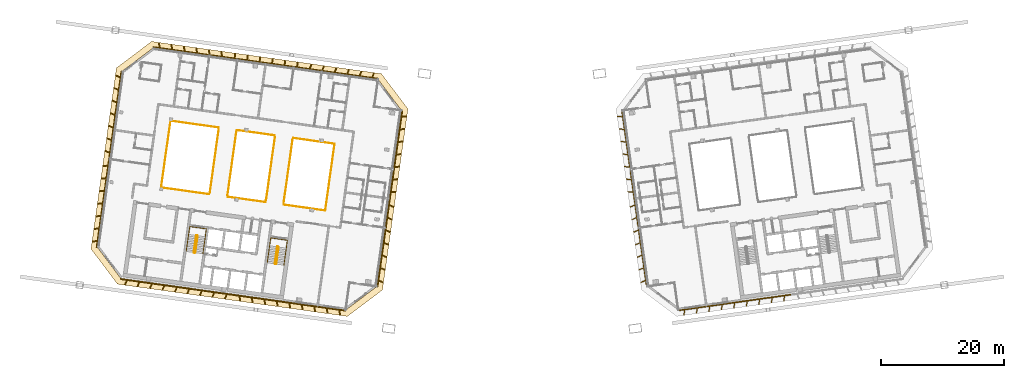
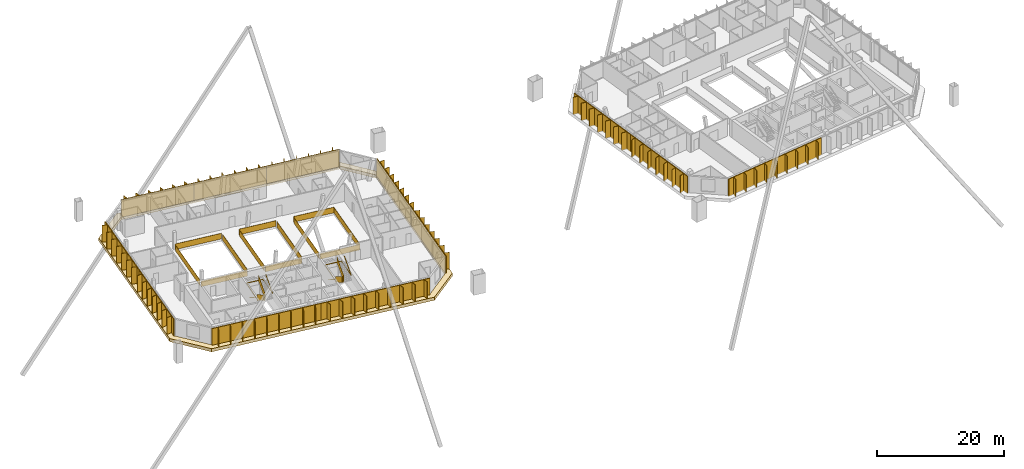
# One storey, part 27 of 28: 14 railings, 12 shading devices, 1 covering.
"""IFC4 building model written with IfcOpenShell, lengths in metres."""

from ifc_helpers import new_model, si_unit, direction, frame, origin, origin_2d, place, context, subcontext, project, spatial, polyline, rectangle, outline, extrude, material, layer, layer_set, type_object, element, save


model = new_model("IFC4")

# Units and contexts
model_context = context("Model", 3, precision=1e-05, world=origin(), true_north=direction((0.0, 1.0)))
body_context = subcontext(model_context, "Body", "Model", "MODEL_VIEW")
ifc_project = project(units=[si_unit("LENGTHUNIT", "METRE"), si_unit("AREAUNIT", "SQUARE_METRE"), si_unit("VOLUMEUNIT", "CUBIC_METRE"), si_unit("PLANEANGLEUNIT", "RADIAN"), si_unit("MASSUNIT", "GRAM", prefix="KILO")], contexts=[model_context])

# Site, building, storey
site_placement = place(None, origin())
site = spatial("IfcSite", under=ifc_project, at=site_placement, CompositionType="ELEMENT")
building_placement = place(site_placement, origin())
building = spatial("IfcBuilding", under=site, at=building_placement, Name="Mirante Cascada Hotel Towers", CompositionType="ELEMENT")
storey_placement = place(building_placement, frame((0.0, 0.0, 243.2)))
storey = spatial("IfcBuildingStorey", under=building, at=storey_placement, Name="L58", CompositionType="ELEMENT", Elevation=243.2)

# Railings
ifc_material_1 = material(Name="Toughened glass with stainless steel handrail", Category="steel")
railing_type_1 = type_object("IfcRailingType", Name="Atrium guard 1100 glass balustrade", PredefinedType="GUARDRAIL", material=ifc_material_1)
railing_1_placement = place(storey_placement, frame((-35.7194, 6.4785, 0.0)))
element("IfcRailing", 1, at=railing_1_placement, inside=storey, type_object=railing_type_1, Name="GUARD 1-L58-1", PredefinedType="GUARDRAIL", context=body_context, shape_type="SweptSolid", body=[
    extrude(rectangle(XDim=0.048, YDim=0.048, at=origin_2d()), frame((0.0, 0.0, 1.076), z_axis=(0.9902672, -0.1391789, 0.0), x_axis=(0.1391789, 0.9902672, 0.0)), (0.0, 0.0, 1.0), 6.8437),
    extrude(rectangle(XDim=0.02, YDim=1.052, at=origin_2d()), frame((0.0, 0.0, 0.526), z_axis=(0.9902672, -0.1391789, 0.0), x_axis=(0.1391789, 0.9902672, 0.0)), (0.0, 0.0, 1.0), 6.8437),
    extrude(rectangle(XDim=0.048, YDim=0.048, at=origin_2d()), frame((6.7771, -0.9525, 1.076), z_axis=(-0.1391733, -0.990268, 0.0), x_axis=(0.990268, -0.1391733, 0.0)), (0.0, 0.0, 1.0), 11.0),
    extrude(rectangle(XDim=0.02, YDim=1.052, at=origin_2d()), frame((6.7771, -0.9525, 0.526), z_axis=(-0.1391733, -0.990268, 0.0), x_axis=(0.990268, -0.1391733, 0.0)), (0.0, 0.0, 1.0), 11.0),
    extrude(rectangle(XDim=0.048, YDim=0.048, at=origin_2d()), frame((5.2462, -11.8454, 1.076), z_axis=(-0.9902693, 0.1391646, 0.0), x_axis=(-0.1391646, -0.9902693, 0.0)), (0.0, 0.0, 1.0), 6.8437),
    extrude(rectangle(XDim=0.02, YDim=1.052, at=origin_2d()), frame((5.2462, -11.8454, 0.526), z_axis=(-0.9902693, 0.1391646, 0.0), x_axis=(-0.1391646, -0.9902693, 0.0)), (0.0, 0.0, 1.0), 6.8437),
])
railing_2_placement = place(storey_placement, frame((-40.2211, -3.9969, 0.0)))
element("IfcRailing", 2, at=railing_2_placement, inside=storey, type_object=railing_type_1, Name="GUARD 1-L58-2", PredefinedType="GUARDRAIL", context=body_context, shape_type="SweptSolid", body=[
    extrude(rectangle(XDim=0.048, YDim=0.048, at=origin_2d()), frame((0.0, 0.0, 1.076), z_axis=(-0.9902698, 0.1391609, 0.0), x_axis=(-0.1391609, -0.9902698, 0.0)), (0.0, 0.0, 1.0), 6.2625),
    extrude(rectangle(XDim=0.02, YDim=1.052, at=origin_2d()), frame((0.0, 0.0, 0.526), z_axis=(-0.9902698, 0.1391609, 0.0), x_axis=(-0.1391609, -0.9902698, 0.0)), (0.0, 0.0, 1.0), 6.2625),
    extrude(rectangle(XDim=0.048, YDim=0.048, at=origin_2d()), frame((-6.2016, 0.8715, 1.076), z_axis=(1.0, 0.0, 0.0), x_axis=(0.0, 1.0, 0.0)), (0.0, 0.0, 1.0), 0.0001),
    extrude(rectangle(XDim=0.02, YDim=1.052, at=origin_2d()), frame((-6.2016, 0.8715, 0.526), z_axis=(1.0, 0.0, 0.0), x_axis=(0.0, 1.0, 0.0)), (0.0, 0.0, 1.0), 0.0001),
])
railing_3_placement = place(storey_placement, frame((-44.8917, 7.7676, 0.0)))
element("IfcRailing", 3, at=railing_3_placement, inside=storey, type_object=railing_type_1, Name="GUARD 1-L58-3", PredefinedType="GUARDRAIL", context=body_context, shape_type="SweptSolid", body=[
    extrude(rectangle(XDim=0.048, YDim=0.048, at=origin_2d()), frame((0.0, 0.0, 1.076), z_axis=(-1.0, 0.0, 0.0), x_axis=(0.0, -1.0, 0.0)), (0.0, 0.0, 1.0), 0.0001),
    extrude(rectangle(XDim=0.02, YDim=1.052, at=origin_2d()), frame((0.0, 0.0, 0.526), z_axis=(-1.0, 0.0, 0.0), x_axis=(0.0, -1.0, 0.0)), (0.0, 0.0, 1.0), 0.0001),
    extrude(rectangle(XDim=0.048, YDim=0.048, at=origin_2d()), frame((-0.0001, 0.0, 1.076), z_axis=(0.9902676, -0.1391765, 0.0), x_axis=(0.1391765, 0.9902676, 0.0)), (0.0, 0.0, 1.0), 6.2625),
    extrude(rectangle(XDim=0.02, YDim=1.052, at=origin_2d()), frame((-0.0001, 0.0, 0.526), z_axis=(0.9902676, -0.1391765, 0.0), x_axis=(0.1391765, 0.9902676, 0.0)), (0.0, 0.0, 1.0), 6.2625),
])
railing_4_placement = place(storey_placement, frame((-49.3935, -2.7078, 0.0)))
element("IfcRailing", 4, at=railing_4_placement, inside=storey, type_object=railing_type_1, Name="GUARD 1-L58-4", PredefinedType="GUARDRAIL", context=body_context, shape_type="SweptSolid", body=[
    extrude(rectangle(XDim=0.048, YDim=0.048, at=origin_2d()), frame((0.0, 0.0, 1.076), z_axis=(-0.990268, 0.1391739, 0.0), x_axis=(-0.1391739, -0.990268, 0.0)), (0.0, 0.0, 1.0), 7.8937),
    extrude(rectangle(XDim=0.02, YDim=1.052, at=origin_2d()), frame((0.0, 0.0, 0.526), z_axis=(-0.990268, 0.1391739, 0.0), x_axis=(-0.1391739, -0.990268, 0.0)), (0.0, 0.0, 1.0), 7.8937),
    extrude(rectangle(XDim=0.048, YDim=0.048, at=origin_2d()), frame((-7.8169, 1.0986, 1.076), z_axis=(0.9902369, -0.1393949, 0.0), x_axis=(0.1393949, 0.9902369, 0.0)), (0.0, 0.0, 1.0), 0.1313),
    extrude(rectangle(XDim=0.02, YDim=1.052, at=origin_2d()), frame((-7.8169, 1.0986, 0.526), z_axis=(0.9902369, -0.1393949, 0.0), x_axis=(0.1393949, 0.9902369, 0.0)), (0.0, 0.0, 1.0), 0.1313),
])
railing_5_placement = place(storey_placement, frame((-55.5495, 9.2654, 0.0)))
element("IfcRailing", 5, at=railing_5_placement, inside=storey, type_object=railing_type_1, Name="GUARD 1-L58-5", PredefinedType="GUARDRAIL", context=body_context, shape_type="SweptSolid", body=[
    extrude(rectangle(XDim=0.048, YDim=0.048, at=origin_2d()), frame((0.0, 0.0, 1.076), z_axis=(-0.9902369, 0.1393949, 0.0), x_axis=(-0.1393949, -0.9902369, 0.0)), (0.0, 0.0, 1.0), 0.1313),
    extrude(rectangle(XDim=0.02, YDim=1.052, at=origin_2d()), frame((0.0, 0.0, 0.526), z_axis=(-0.9902369, 0.1393949, 0.0), x_axis=(-0.1393949, -0.9902369, 0.0)), (0.0, 0.0, 1.0), 0.1313),
    extrude(rectangle(XDim=0.048, YDim=0.048, at=origin_2d()), frame((-0.13, 0.0183, 1.076), z_axis=(0.990268, -0.1391739, 0.0), x_axis=(0.1391739, 0.990268, 0.0)), (0.0, 0.0, 1.0), 7.8937),
    extrude(rectangle(XDim=0.02, YDim=1.052, at=origin_2d()), frame((-0.13, 0.0183, 0.526), z_axis=(0.990268, -0.1391739, 0.0), x_axis=(0.1391739, 0.990268, 0.0)), (0.0, 0.0, 1.0), 7.8937),
])
railing_6_placement = place(storey_placement, frame((-55.7701, 8.998, 0.0)))
element("IfcRailing", 6, at=railing_6_placement, inside=storey, type_object=railing_type_1, Name="GUARD 1-L58-6", PredefinedType="GUARDRAIL", context=body_context, shape_type="SweptSolid", body=[
    extrude(rectangle(XDim=0.048, YDim=0.048, at=origin_2d()), frame((0.0, 0.0, 1.076), z_axis=(-0.1391776, -0.9902674, 0.0), x_axis=(0.9902674, -0.1391776, 0.0)), (0.0, 0.0, 1.0), 10.409),
    extrude(rectangle(XDim=0.02, YDim=1.052, at=origin_2d()), frame((0.0, 0.0, 0.526), z_axis=(-0.1391776, -0.9902674, 0.0), x_axis=(0.9902674, -0.1391776, 0.0)), (0.0, 0.0, 1.0), 10.409),
])
railing_7_placement = place(storey_placement, frame((-49.3038, -2.4219, 0.0)))
element("IfcRailing", 7, at=railing_7_placement, inside=storey, type_object=railing_type_1, Name="GUARD 1-L58-7", PredefinedType="GUARDRAIL", context=body_context, shape_type="SweptSolid", body=[
    extrude(rectangle(XDim=0.048, YDim=0.048, at=origin_2d()), frame((0.0, 0.0, 1.076), z_axis=(0.1391721, 0.9902682, 0.0), x_axis=(-0.9902682, 0.1391721, 0.0)), (0.0, 0.0, 1.0), 10.4087),
    extrude(rectangle(XDim=0.02, YDim=1.052, at=origin_2d()), frame((0.0, 0.0, 0.526), z_axis=(0.1391721, 0.9902682, 0.0), x_axis=(-0.9902682, 0.1391721, 0.0)), (0.0, 0.0, 1.0), 10.4087),
])
railing_8_placement = place(storey_placement, frame((-44.9815, 7.4816, 0.0)))
element("IfcRailing", 8, at=railing_8_placement, inside=storey, type_object=railing_type_1, Name="GUARD 1-L58-8", PredefinedType="GUARDRAIL", context=body_context, shape_type="SweptSolid", body=[
    extrude(rectangle(XDim=0.048, YDim=0.048, at=origin_2d()), frame((0.0, 0.0, 1.076), z_axis=(-0.1391721, -0.9902682, 0.0), x_axis=(0.9902682, -0.1391721, 0.0)), (0.0, 0.0, 1.0), 10.4087),
    extrude(rectangle(XDim=0.02, YDim=1.052, at=origin_2d()), frame((0.0, 0.0, 0.526), z_axis=(-0.1391721, -0.9902682, 0.0), x_axis=(0.9902682, -0.1391721, 0.0)), (0.0, 0.0, 1.0), 10.4087),
])
railing_9_placement = place(storey_placement, frame((-40.1314, -3.711, 0.0)))
element("IfcRailing", 9, at=railing_9_placement, inside=storey, type_object=railing_type_1, Name="GUARD 1-L58-9", PredefinedType="GUARDRAIL", context=body_context, shape_type="SweptSolid", body=[
    extrude(rectangle(XDim=0.048, YDim=0.048, at=origin_2d()), frame((0.0, 0.0, 1.076), z_axis=(0.1391721, 0.9902682, 0.0), x_axis=(-0.9902682, 0.1391721, 0.0)), (0.0, 0.0, 1.0), 10.4087),
    extrude(rectangle(XDim=0.02, YDim=1.052, at=origin_2d()), frame((0.0, 0.0, 0.526), z_axis=(0.1391721, 0.9902682, 0.0), x_axis=(-0.9902682, 0.1391721, 0.0)), (0.0, 0.0, 1.0), 10.4087),
])
railing_10_placement = place(storey_placement, frame((-35.8091, 6.1925, 0.0)))
element("IfcRailing", 10, at=railing_10_placement, inside=storey, type_object=railing_type_1, Name="GUARD 1-L58-10", PredefinedType="GUARDRAIL", context=body_context, shape_type="SweptSolid", body=[
    extrude(rectangle(XDim=0.048, YDim=0.048, at=origin_2d()), frame((0.0, 0.0, 1.076), z_axis=(-0.1391721, -0.9902682, 0.0), x_axis=(0.9902682, -0.1391721, 0.0)), (0.0, 0.0, 1.0), 10.4087),
    extrude(rectangle(XDim=0.02, YDim=1.052, at=origin_2d()), frame((0.0, 0.0, 0.526), z_axis=(-0.1391721, -0.9902682, 0.0), x_axis=(0.9902682, -0.1391721, 0.0)), (0.0, 0.0, 1.0), 10.4087),
])

# Covering
ifc_material_2 = material(Name="Precast concrete C40/50 white", Category="concrete")
ifc_layer = layer(ifc_material_2, 0.6)
ifc_layer_set = layer_set([ifc_layer], Name="Precast concrete SUNSHADE band 1000x600")
covering_type = type_object("IfcCoveringType", Name="Precast concrete SUNSHADE band 1000x600", PredefinedType="CLADDING", material=ifc_layer_set)
covering_placement = place(storey_placement, frame((0.0, 0.0, -0.45)))
element("IfcCovering", 11, at=covering_placement, inside=storey, type_object=covering_type, Name="Precast concrete SUNSHADE band T1 L58", PredefinedType="CLADDING", context=body_context, shape_type="SweptSolid", body=[
    extrude(outline(polyline([(-68.7156, -11.6197), (-64.5643, 17.9185), (-58.8202, 22.247), (-21.3103, 16.9753), (-16.9818, 11.2312), (-21.1331, -18.3069), (-26.8772, -22.6354), (-64.3871, -17.3638), (-68.7156, -11.6197)]), holes=[polyline([(-18.0297, 10.9602), (-21.8597, 16.0427), (-58.5492, 21.199), (-63.6316, 17.3691), (-67.6677, -11.3487), (-63.8377, -16.4311), (-27.1482, -21.5875), (-22.0658, -17.7576), (-18.0297, 10.9602)])]), origin(), (0.0, 0.0, 1.0), 0.6),
])

# Railings
ifc_material_3 = material(Name="Painted steel", Category="steel")
railing_type_2 = type_object("IfcRailingType", Name="Stair guard 1100 steel balustrade", PredefinedType="GUARDRAIL", material=ifc_material_3)
railing_11_placement = place(storey_placement, frame((-38.1178, -11.2603, 0.0)))
element("IfcRailing", 12, at=railing_11_placement, inside=storey, type_object=railing_type_2, Name="L58 ST1-A stair guard 1", PredefinedType="GUARDRAIL", context=body_context, shape_type="SweptSolid", body=[
    extrude(rectangle(XDim=0.048, YDim=0.048, at=origin_2d()), frame((0.0, 0.0, 1.076), z_axis=(-0.9903326, 0.1387133, 0.0), x_axis=(-0.1387133, -0.9903326, 0.0)), (0.0, 0.0, 1.0), 0.1499),
    extrude(rectangle(XDim=0.02, YDim=1.052, at=origin_2d()), frame((0.0, 0.0, 0.526), z_axis=(-0.9903326, 0.1387133, 0.0), x_axis=(-0.1387133, -0.9903326, 0.0)), (0.0, 0.0, 1.0), 0.1499),
    extrude(rectangle(XDim=0.048, YDim=0.048, at=origin_2d()), frame((-0.1485, 0.0208, 1.076), z_axis=(-0.7991505, -0.6011309, 0.0), x_axis=(0.6011309, -0.7991505, 0.0)), (0.0, 0.9254529, 0.3788627), 0.1866),
    extrude(rectangle(XDim=0.02, YDim=1.052, at=origin_2d()), frame((-0.1485, 0.0208, 0.526), z_axis=(-0.7991505, -0.6011309, 0.0), x_axis=(0.6011309, -0.7991505, 0.0)), (0.0, 0.9254529, 0.3788627), 0.1866),
    extrude(rectangle(XDim=0.048, YDim=0.048, at=origin_2d()), frame((-0.205, -0.0217, 1.2487), z_axis=(-0.139176, -0.9902677, 0.0), x_axis=(0.9902677, -0.139176, 0.0)), (0.0, 0.5250212, 0.8510891), 3.29),
    extrude(rectangle(XDim=0.02, YDim=1.052, at=origin_2d()), frame((-0.205, -0.0217, 0.6987), z_axis=(-0.139176, -0.9902677, 0.0), x_axis=(0.9902677, -0.139176, 0.0)), (0.0, 0.5250212, 0.8510891), 3.29),
    extrude(rectangle(XDim=0.048, YDim=0.048, at=origin_2d()), frame((-0.5947, -2.7945, 2.976), z_axis=(0.9270311, -0.3749843, 0.0), x_axis=(0.3749843, 0.9270311, 0.0)), (0.0, 0.0, 1.0), 0.2061),
    extrude(rectangle(XDim=0.02, YDim=1.052, at=origin_2d()), frame((-0.5947, -2.7945, 2.426), z_axis=(0.9270311, -0.3749843, 0.0), x_axis=(0.3749843, 0.9270311, 0.0)), (0.0, 0.0, 1.0), 0.2061),
    extrude(rectangle(XDim=0.048, YDim=0.048, at=origin_2d()), frame((-0.4036, -2.8718, 2.976), z_axis=(-0.9902408, 0.1393672, 0.0), x_axis=(-0.1393672, -0.9902408, 0.0)), (0.0, 0.0, 1.0), 0.15),
    extrude(rectangle(XDim=0.02, YDim=1.052, at=origin_2d()), frame((-0.4036, -2.8718, 2.426), z_axis=(-0.9902408, 0.1393672, 0.0), x_axis=(-0.1393672, -0.9902408, 0.0)), (0.0, 0.0, 1.0), 0.15),
    extrude(rectangle(XDim=0.048, YDim=0.048, at=origin_2d()), frame((-0.5521, -2.8509, 2.976), z_axis=(0.9944948, 0.1047858, 0.0), x_axis=(-0.1047858, 0.9944948, 0.0)), (0.0, 0.6422034, 0.7665343), 0.2689),
    extrude(rectangle(XDim=0.02, YDim=1.052, at=origin_2d()), frame((-0.5521, -2.8509, 2.426), z_axis=(0.9944948, 0.1047858, 0.0), x_axis=(-0.1047858, 0.9944948, 0.0)), (0.0, 0.6422034, 0.7665343), 0.2689),
    extrude(rectangle(XDim=0.048, YDim=0.048, at=origin_2d()), frame((-0.3471, -2.8293, 3.1487), z_axis=(0.139176, 0.9902677, 0.0), x_axis=(-0.9902677, 0.139176, 0.0)), (0.0, 0.5250212, 0.8510891), 3.29),
    extrude(rectangle(XDim=0.02, YDim=1.052, at=origin_2d()), frame((-0.3471, -2.8293, 2.5987), z_axis=(0.139176, 0.9902677, 0.0), x_axis=(-0.9902677, 0.139176, 0.0)), (0.0, 0.5250212, 0.8510891), 3.29),
])
railing_12_placement = place(storey_placement, frame((-51.3379, -9.4024, 0.0)))
element("IfcRailing", 13, at=railing_12_placement, inside=storey, type_object=railing_type_2, Name="L58 ST1-B stair guard 1", PredefinedType="GUARDRAIL", context=body_context, shape_type="SweptSolid", body=[
    extrude(rectangle(XDim=0.048, YDim=0.048, at=origin_2d()), frame((0.0, 0.0, 1.076), z_axis=(-0.9902408, 0.1393672, 0.0), x_axis=(-0.1393672, -0.9902408, 0.0)), (0.0, 0.0, 1.0), 0.15),
    extrude(rectangle(XDim=0.02, YDim=1.052, at=origin_2d()), frame((0.0, 0.0, 0.526), z_axis=(-0.9902408, 0.1393672, 0.0), x_axis=(-0.1393672, -0.9902408, 0.0)), (0.0, 0.0, 1.0), 0.15),
    extrude(rectangle(XDim=0.048, YDim=0.048, at=origin_2d()), frame((-0.1485, 0.0209, 1.076), z_axis=(-0.7984711, -0.6020331, 0.0), x_axis=(0.6020331, -0.7984711, 0.0)), (0.0, 0.9253398, 0.3791387), 0.1866),
    extrude(rectangle(XDim=0.02, YDim=1.052, at=origin_2d()), frame((-0.1485, 0.0209, 0.526), z_axis=(-0.7984711, -0.6020331, 0.0), x_axis=(0.6020331, -0.7984711, 0.0)), (0.0, 0.9253398, 0.3791387), 0.1866),
    extrude(rectangle(XDim=0.048, YDim=0.048, at=origin_2d()), frame((-0.205, -0.0217, 1.2487), z_axis=(-0.139181, -0.990267, 0.0), x_axis=(0.990267, -0.139181, 0.0)), (0.0, 0.5250347, 0.8510808), 3.2899),
    extrude(rectangle(XDim=0.02, YDim=1.052, at=origin_2d()), frame((-0.205, -0.0217, 0.6987), z_axis=(-0.139181, -0.990267, 0.0), x_axis=(0.990267, -0.139181, 0.0)), (0.0, 0.5250347, 0.8510808), 3.2899),
    extrude(rectangle(XDim=0.048, YDim=0.048, at=origin_2d()), frame((-0.5947, -2.7944, 2.976), z_axis=(0.9268624, -0.3754011, 0.0), x_axis=(0.3754011, 0.9268624, 0.0)), (0.0, 0.0, 1.0), 0.2062),
    extrude(rectangle(XDim=0.02, YDim=1.052, at=origin_2d()), frame((-0.5947, -2.7944, 2.426), z_axis=(0.9268624, -0.3754011, 0.0), x_axis=(0.3754011, 0.9268624, 0.0)), (0.0, 0.0, 1.0), 0.2062),
    extrude(rectangle(XDim=0.048, YDim=0.048, at=origin_2d()), frame((-0.4036, -2.8718, 2.976), z_axis=(-0.9902408, 0.1393672, 0.0), x_axis=(-0.1393672, -0.9902408, 0.0)), (0.0, 0.0, 1.0), 0.15),
    extrude(rectangle(XDim=0.02, YDim=1.052, at=origin_2d()), frame((-0.4036, -2.8718, 2.426), z_axis=(-0.9902408, 0.1393672, 0.0), x_axis=(-0.1393672, -0.9902408, 0.0)), (0.0, 0.0, 1.0), 0.15),
    extrude(rectangle(XDim=0.048, YDim=0.048, at=origin_2d()), frame((-0.5521, -2.8509, 2.976), z_axis=(0.9944441, 0.1052656, 0.0), x_axis=(-0.1052656, 0.9944441, 0.0)), (0.0, 0.6421842, 0.7665504), 0.2689),
    extrude(rectangle(XDim=0.02, YDim=1.052, at=origin_2d()), frame((-0.5521, -2.8509, 2.426), z_axis=(0.9944441, 0.1052656, 0.0), x_axis=(-0.1052656, 0.9944441, 0.0)), (0.0, 0.6421842, 0.7665504), 0.2689),
    extrude(rectangle(XDim=0.048, YDim=0.048, at=origin_2d()), frame((-0.3471, -2.8292, 3.1487), z_axis=(0.139181, 0.990267, 0.0), x_axis=(-0.990267, 0.139181, 0.0)), (0.0, 0.5250347, 0.8510808), 3.2899),
    extrude(rectangle(XDim=0.02, YDim=1.052, at=origin_2d()), frame((-0.3471, -2.8292, 2.5987), z_axis=(0.139181, 0.990267, 0.0), x_axis=(-0.990267, 0.139181, 0.0)), (0.0, 0.5250347, 0.8510808), 3.2899),
])
ifc_material_4 = material(Name="Painted steel", Category="steel")
railing_type_3 = type_object("IfcRailingType", Name="Stair handrail 900 steel tube", PredefinedType="HANDRAIL", material=ifc_material_4)
railing_13_placement = place(storey_placement, frame((-39.5606, -11.1081, 0.1727)))
element("IfcRailing", 14, at=railing_13_placement, inside=storey, type_object=railing_type_3, Name="L58 ST1-A stair handrail 1", PredefinedType="HANDRAIL", context=body_context, shape_type="SweptSolid", body=[
    extrude(rectangle(XDim=0.048, YDim=0.048, at=origin_2d()), frame((0.0, 0.0, 0.876), z_axis=(-0.139181, -0.990267, 0.0), x_axis=(0.990267, -0.139181, 0.0)), (0.0, 0.5250347, 0.8510808), 3.2899),
    extrude(rectangle(XDim=0.048, YDim=0.048, at=origin_2d()), frame((-0.3897, -2.7727, 2.6033), z_axis=(0.1391707, 0.9902684, 0.0), x_axis=(-0.9902684, 0.1391707, 0.0)), (0.0, 0.0420846, 0.999114), 4.1036),
    extrude(rectangle(XDim=0.048, YDim=0.048, at=origin_2d()), frame((0.1809, 1.2874, 2.776), z_axis=(0.9902691, -0.1391657, 0.0), x_axis=(0.1391657, 0.9902691, 0.0)), (0.0, 0.0, 1.0), 2.75),
    extrude(rectangle(XDim=0.048, YDim=0.048, at=origin_2d()), frame((2.9041, 0.9047, 2.776), z_axis=(-0.1391707, -0.9902684, 0.0), x_axis=(0.9902684, -0.1391707, 0.0)), (0.0, 0.0, 1.0), 4.1),
    extrude(rectangle(XDim=0.048, YDim=0.048, at=origin_2d()), frame((2.3335, -3.1554, 2.776), z_axis=(0.139181, 0.990267, 0.0), x_axis=(-0.990267, 0.139181, 0.0)), (0.0, 0.5250347, 0.8510808), 3.2899),
])
railing_14_placement = place(storey_placement, frame((-52.7807, -9.2501, 0.1727)))
element("IfcRailing", 15, at=railing_14_placement, inside=storey, type_object=railing_type_3, Name="L58 ST1-B stair handrail 1", PredefinedType="HANDRAIL", context=body_context, shape_type="SweptSolid", body=[
    extrude(rectangle(XDim=0.048, YDim=0.048, at=origin_2d()), frame((0.0, 0.0, 0.876), z_axis=(-0.139181, -0.990267, 0.0), x_axis=(0.990267, -0.139181, 0.0)), (0.0, 0.5250347, 0.8510808), 3.2899),
    extrude(rectangle(XDim=0.048, YDim=0.048, at=origin_2d()), frame((-0.3897, -2.7727, 2.6033), z_axis=(0.1391707, 0.9902684, 0.0), x_axis=(-0.9902684, 0.1391707, 0.0)), (0.0, 0.0420846, 0.999114), 4.1036),
    extrude(rectangle(XDim=0.048, YDim=0.048, at=origin_2d()), frame((0.1809, 1.2874, 2.776), z_axis=(0.9902641, -0.1392013, 0.0), x_axis=(0.1392013, 0.9902641, 0.0)), (0.0, 0.0, 1.0), 2.75),
    extrude(rectangle(XDim=0.048, YDim=0.048, at=origin_2d()), frame((2.9041, 0.9046, 2.776), z_axis=(-0.1391707, -0.9902684, 0.0), x_axis=(0.9902684, -0.1391707, 0.0)), (0.0, 0.0, 1.0), 4.1),
    extrude(rectangle(XDim=0.048, YDim=0.048, at=origin_2d()), frame((2.3335, -3.1555, 2.776), z_axis=(0.139176, 0.9902677, 0.0), x_axis=(-0.9902677, 0.139176, 0.0)), (0.0, 0.5250212, 0.8510891), 3.29),
])

# Shading devices
ifc_material_5 = material(Name="White precast concrete C50/60 fin", Category="concrete")
shading_device_type = type_object("IfcShadingDeviceType", Name="Vertical fin set 4500x900", PredefinedType="USERDEFINED", material=ifc_material_5)
shading_device_1_placement = place(storey_placement, origin())
element("IfcShadingDevice", 16, at=shading_device_1_placement, inside=storey, type_object=shading_device_type, Name="FIN T1 L58 front 1", ObjectType="FIN", PredefinedType="USERDEFINED", context=body_context, shape_type="SweptSolid", body=[
    extrude(outline(polyline([(-47.3945, 20.6207), (-47.2899, 19.7681), (-46.2984, 19.6288), (-46.3193, 19.4803), (-58.5492, 21.199), (-58.5283, 21.3476), (-57.5634, 21.212), (-57.6655, 22.0433), (-57.5861, 22.053), (-57.4814, 21.2005), (-55.5251, 20.9255), (-55.6272, 21.7568), (-55.5478, 21.7665), (-55.4431, 20.914), (-53.4868, 20.6391), (-53.5889, 21.4703), (-53.5095, 21.4801), (-53.4048, 20.6275), (-51.4485, 20.3526), (-51.5506, 21.1839), (-51.4711, 21.1936), (-51.3665, 20.3411), (-49.4102, 20.0661), (-49.5122, 20.8974), (-49.4328, 20.9071), (-49.3282, 20.0546), (-47.3719, 19.7797), (-47.4739, 20.6109), (-47.3945, 20.6207)])), origin(), (0.0, 0.0, 1.0), 3.35),
])
shading_device_2_placement = place(storey_placement, origin())
element("IfcShadingDevice", 17, at=shading_device_2_placement, inside=storey, type_object=shading_device_type, Name="FIN T1 L58 front 2", ObjectType="FIN", PredefinedType="USERDEFINED", context=body_context, shape_type="SweptSolid", body=[
    extrude(outline(polyline([(-34.9299, 18.8894), (-35.0482, 18.0477), (-34.0686, 17.91), (-34.0895, 17.7615), (-46.3193, 19.4803), (-46.2984, 19.6288), (-45.3189, 19.4911), (-45.2006, 20.3329), (-45.1214, 20.3217), (-45.2397, 19.48), (-43.2806, 19.2047), (-43.1623, 20.0464), (-43.0831, 20.0353), (-43.2014, 19.1935), (-41.2423, 18.9182), (-41.124, 19.7599), (-41.0448, 19.7488), (-41.1631, 18.9071), (-39.204, 18.6317), (-39.0857, 19.4735), (-39.0065, 19.4623), (-39.1248, 18.6206), (-37.1657, 18.3453), (-37.0474, 19.187), (-36.9682, 19.1759), (-37.0865, 18.3341), (-35.1274, 18.0588), (-35.0091, 18.9005), (-34.9299, 18.8894)])), origin(), (0.0, 0.0, 1.0), 3.35),
])
shading_device_3_placement = place(storey_placement, origin())
element("IfcShadingDevice", 18, at=shading_device_3_placement, inside=storey, type_object=shading_device_type, Name="FIN T1 L58 front 3", ObjectType="FIN", PredefinedType="USERDEFINED", context=body_context, shape_type="SweptSolid", body=[
    extrude(outline(polyline([(-22.4764, 17.0978), (-22.8037, 16.3268), (-21.8388, 16.1912), (-21.8597, 16.0427), (-34.0895, 17.7615), (-34.0686, 17.91), (-33.0772, 17.7707), (-32.7416, 18.5613), (-32.6679, 18.5301), (-32.9952, 17.7591), (-31.0389, 17.4842), (-30.7033, 18.2749), (-30.6296, 18.2436), (-30.9569, 17.4727), (-29.0006, 17.1977), (-28.665, 17.9884), (-28.5913, 17.9572), (-28.9186, 17.1862), (-26.9623, 16.9113), (-26.6267, 17.7019), (-26.553, 17.6707), (-26.8803, 16.8997), (-24.924, 16.6248), (-24.5884, 17.4155), (-24.5147, 17.3842), (-24.842, 16.6133), (-22.8857, 16.3383), (-22.5501, 17.129), (-22.4764, 17.0978)])), origin(), (0.0, 0.0, 1.0), 3.35),
])
shading_device_4_placement = place(storey_placement, origin())
element("IfcShadingDevice", 19, at=shading_device_4_placement, inside=storey, type_object=shading_device_type, Name="FIN T1 L58 inner 1", ObjectType="FIN", PredefinedType="USERDEFINED", context=body_context, shape_type="SweptSolid", body=[
    extrude(outline(polyline([(-19.759, -2.4217), (-19.8992, -3.4196), (-20.0477, -3.3987), (-18.0297, 10.9602), (-17.8812, 10.9393), (-18.0177, 9.968), (-17.1864, 10.07), (-17.1767, 9.9906), (-18.0292, 9.8859), (-18.306, 7.9167), (-17.4747, 8.0188), (-17.465, 7.9393), (-18.3175, 7.8347), (-18.5943, 5.8654), (-17.763, 5.9675), (-17.7533, 5.8881), (-18.6058, 5.7834), (-18.8826, 3.8141), (-18.0513, 3.9162), (-18.0415, 3.8368), (-18.8941, 3.7321), (-19.1709, 1.7629), (-18.3396, 1.8649), (-18.3298, 1.7855), (-19.1824, 1.6809), (-19.4591, -0.2884), (-18.6279, -0.1863), (-18.6181, -0.2657), (-19.4707, -0.3704), (-19.7474, -2.3397), (-18.9162, -2.2376), (-18.9064, -2.317), (-19.759, -2.4217)])), origin(), (0.0, 0.0, 1.0), 3.35),
])
shading_device_5_placement = place(storey_placement, origin())
element("IfcShadingDevice", 20, at=shading_device_5_placement, inside=storey, type_object=shading_device_type, Name="FIN T1 L58 inner 2", ObjectType="FIN", PredefinedType="USERDEFINED", context=body_context, shape_type="SweptSolid", body=[
    extrude(outline(polyline([(-21.7807, -16.8071), (-21.9172, -17.7785), (-22.0658, -17.7576), (-20.0477, -3.3987), (-19.8992, -3.4196), (-20.0394, -4.4175), (-19.2488, -4.7531), (-19.28, -4.8267), (-20.051, -4.4995), (-20.3277, -6.4687), (-19.5371, -6.8044), (-19.5683, -6.878), (-20.3393, -6.5508), (-20.616, -8.52), (-19.8253, -8.8556), (-19.8566, -8.9293), (-20.6275, -8.602), (-20.9043, -10.5713), (-20.1136, -10.9069), (-20.1449, -10.9805), (-20.9158, -10.6533), (-21.1926, -12.6225), (-20.4019, -12.9582), (-20.4332, -13.0318), (-21.2041, -12.7046), (-21.4809, -14.6738), (-20.6902, -15.0094), (-20.7215, -15.0831), (-21.4924, -14.7558), (-21.7692, -16.7251), (-20.9785, -17.0607), (-21.0098, -17.1343), (-21.7807, -16.8071)])), origin(), (0.0, 0.0, 1.0), 3.35),
])
shading_device_6_placement = place(storey_placement, origin())
element("IfcShadingDevice", 21, at=shading_device_6_placement, inside=storey, type_object=shading_device_type, Name="FIN T1 L58 outer 1", ObjectType="FIN", PredefinedType="USERDEFINED", context=body_context, shape_type="SweptSolid", body=[
    extrude(outline(polyline([(-67.6682, -10.2744), (-67.3914, -8.3052), (-68.2227, -8.4072), (-68.2324, -8.3278), (-67.3799, -8.2231), (-67.1031, -6.2539), (-67.9344, -6.3559), (-67.9441, -6.2765), (-67.0916, -6.1719), (-66.8148, -4.2026), (-67.6461, -4.3047), (-67.6558, -4.2253), (-66.8033, -4.1206), (-66.5265, -2.1513), (-67.3578, -2.2534), (-67.3676, -2.174), (-66.515, -2.0693), (-66.2382, -0.1001), (-67.0695, -0.2021), (-67.0793, -0.1227), (-66.2267, -0.0181), (-65.95, 1.9512), (-66.7812, 1.8491), (-66.791, 1.9285), (-65.9384, 2.0332), (-65.7982, 3.0311), (-65.6497, 3.0102), (-67.6677, -11.3487), (-67.8162, -11.3278), (-67.6797, -10.3564), (-68.511, -10.4585), (-68.5207, -10.3791), (-67.6682, -10.2744)])), origin(), (0.0, 0.0, 1.0), 3.35),
])
shading_device_7_placement = place(storey_placement, origin())
element("IfcShadingDevice", 22, at=shading_device_7_placement, inside=storey, type_object=shading_device_type, Name="FIN T1 L58 outer 2", ObjectType="FIN", PredefinedType="USERDEFINED", context=body_context, shape_type="SweptSolid", body=[
    extrude(outline(polyline([(-65.6464, 4.111), (-65.3697, 6.0803), (-66.1603, 6.4159), (-66.1291, 6.4895), (-65.3581, 6.1623), (-65.0814, 8.1315), (-65.872, 8.4672), (-65.8408, 8.5408), (-65.0698, 8.2136), (-64.7931, 10.1828), (-65.5838, 10.5184), (-65.5525, 10.5921), (-64.7816, 10.2648), (-64.5048, 12.2341), (-65.2955, 12.5697), (-65.2642, 12.6433), (-64.4933, 12.3161), (-64.2165, 14.2853), (-65.0072, 14.621), (-64.9759, 14.6946), (-64.205, 14.3674), (-63.9282, 16.3366), (-64.7189, 16.6722), (-64.6876, 16.7459), (-63.9167, 16.4186), (-63.7802, 17.39), (-63.6316, 17.3691), (-65.6497, 3.0102), (-65.7982, 3.0311), (-65.6579, 4.029), (-66.4486, 4.3646), (-66.4174, 4.4383), (-65.6464, 4.111)])), origin(), (0.0, 0.0, 1.0), 3.35),
])
shading_device_8_placement = place(storey_placement, origin())
element("IfcShadingDevice", 23, at=shading_device_8_placement, inside=storey, type_object=shading_device_type, Name="FIN T1 L58 rear 1", ObjectType="FIN", PredefinedType="USERDEFINED", context=body_context, shape_type="SweptSolid", body=[
    extrude(outline(polyline([(-28.216, -21.5889), (-30.1723, -21.314), (-30.0702, -22.1453), (-30.1496, -22.155), (-30.2543, -21.3025), (-32.2106, -21.0275), (-32.1085, -21.8588), (-32.1879, -21.8685), (-32.2926, -21.016), (-34.2489, -20.7411), (-34.1468, -21.5723), (-34.2262, -21.5821), (-34.3309, -20.7295), (-36.2872, -20.4546), (-36.1851, -21.2859), (-36.2645, -21.2956), (-36.3692, -20.4431), (-38.3255, -20.1681), (-38.2234, -20.9994), (-38.3029, -21.0091), (-38.4075, -20.1566), (-40.3638, -19.8817), (-40.2618, -20.7129), (-40.3412, -20.7227), (-40.4458, -19.8701), (-42.4021, -19.5952), (-42.3001, -20.4265), (-42.3795, -20.4362), (-42.4841, -19.5837), (-44.4404, -19.3087), (-44.3384, -20.14), (-44.4178, -20.1498), (-44.5224, -19.2972), (-45.5139, -19.1579), (-45.493, -19.0093), (-27.1482, -21.5875), (-27.1691, -21.7361), (-28.134, -21.6004), (-28.0319, -22.4317), (-28.1113, -22.4415), (-28.216, -21.5889)])), origin(), (0.0, 0.0, 1.0), 3.35),
])
shading_device_9_placement = place(storey_placement, origin())
element("IfcShadingDevice", 24, at=shading_device_9_placement, inside=storey, type_object=shading_device_type, Name="FIN T1 L58 rear 2", ObjectType="FIN", PredefinedType="USERDEFINED", context=body_context, shape_type="SweptSolid", body=[
    extrude(outline(polyline([(-46.5873, -19.007), (-48.5436, -18.7321), (-48.8792, -19.5227), (-48.9528, -19.4915), (-48.6256, -18.7205), (-50.5819, -18.4456), (-50.9175, -19.2363), (-50.9911, -19.205), (-50.6639, -18.4341), (-52.6202, -18.1591), (-52.9558, -18.9498), (-53.0294, -18.9186), (-52.7022, -18.1476), (-54.6585, -17.8727), (-54.9941, -18.6633), (-55.0678, -18.6321), (-54.7405, -17.8611), (-56.6968, -17.5862), (-57.0324, -18.3769), (-57.1061, -18.3456), (-56.7788, -17.5747), (-58.7351, -17.2997), (-59.0707, -18.0904), (-59.1444, -18.0592), (-58.8171, -17.2882), (-60.7734, -17.0133), (-61.109, -17.8039), (-61.1827, -17.7727), (-60.8554, -17.0018), (-62.8117, -16.7268), (-63.1473, -17.5175), (-63.221, -17.4862), (-62.8937, -16.7153), (-63.8586, -16.5797), (-63.8377, -16.4311), (-45.493, -19.0093), (-45.5139, -19.1579), (-46.5053, -19.0185), (-46.8409, -19.8092), (-46.9145, -19.7779), (-46.5873, -19.007)])), origin(), (0.0, 0.0, 1.0), 3.35),
])
shading_device_10_placement = place(storey_placement, origin())
element("IfcShadingDevice", 25, at=shading_device_10_placement, inside=storey, type_object=shading_device_type, Name="FIN T2 L58 inner 1", ObjectType="FIN", PredefinedType="USERDEFINED", context=body_context, shape_type="SweptSolid", body=[
    extrude(outline(polyline([(18.9162, -2.2376), (19.7474, -2.3397), (19.4707, -0.3704), (18.6181, -0.2657), (18.6279, -0.1863), (19.4591, -0.2884), (19.1824, 1.6809), (18.3298, 1.7855), (18.3396, 1.8649), (19.1709, 1.7629), (18.8941, 3.7321), (18.0415, 3.8368), (18.0513, 3.9162), (18.8826, 3.8141), (18.6058, 5.7834), (17.7533, 5.8881), (17.763, 5.9675), (18.5943, 5.8654), (18.3175, 7.8347), (17.465, 7.9393), (17.4747, 8.0188), (18.306, 7.9167), (18.0292, 9.8859), (17.1767, 9.9906), (17.1864, 10.07), (18.0177, 9.968), (17.8812, 10.9393), (18.0297, 10.9602), (20.0477, -3.3987), (19.8992, -3.4196), (19.759, -2.4217), (18.9064, -2.317), (18.9162, -2.2376)])), origin(), (0.0, 0.0, 1.0), 3.35),
])
shading_device_11_placement = place(storey_placement, origin())
element("IfcShadingDevice", 26, at=shading_device_11_placement, inside=storey, type_object=shading_device_type, Name="FIN T2 L58 inner 2", ObjectType="FIN", PredefinedType="USERDEFINED", context=body_context, shape_type="SweptSolid", body=[
    extrude(outline(polyline([(20.9785, -17.0607), (21.7692, -16.7251), (21.4924, -14.7558), (20.7215, -15.0831), (20.6902, -15.0094), (21.4809, -14.6738), (21.2041, -12.7046), (20.4332, -13.0318), (20.4019, -12.9582), (21.1926, -12.6225), (20.9158, -10.6533), (20.1449, -10.9805), (20.1136, -10.9069), (20.9043, -10.5713), (20.6275, -8.602), (19.8566, -8.9293), (19.8253, -8.8556), (20.616, -8.52), (20.3393, -6.5508), (19.5683, -6.878), (19.5371, -6.8044), (20.3277, -6.4687), (20.051, -4.4995), (19.28, -4.8267), (19.2488, -4.7531), (20.0394, -4.4175), (19.8992, -3.4196), (20.0477, -3.3987), (22.0658, -17.7576), (21.9172, -17.7785), (21.7807, -16.8071), (21.0098, -17.1343), (20.9785, -17.0607)])), origin(), (0.0, 0.0, 1.0), 3.35),
])
shading_device_12_placement = place(storey_placement, origin())
element("IfcShadingDevice", 27, at=shading_device_12_placement, inside=storey, type_object=shading_device_type, Name="FIN T2 L58 rear 1", ObjectType="FIN", PredefinedType="USERDEFINED", context=body_context, shape_type="SweptSolid", body=[
    extrude(outline(polyline([(28.0319, -22.4317), (28.134, -21.6004), (27.1691, -21.7361), (27.1482, -21.5875), (45.493, -19.0093), (45.5139, -19.1579), (44.5224, -19.2972), (44.4178, -20.1498), (44.3384, -20.14), (44.4404, -19.3087), (42.4841, -19.5837), (42.3795, -20.4362), (42.3001, -20.4265), (42.4021, -19.5952), (40.4458, -19.8701), (40.3412, -20.7227), (40.2618, -20.7129), (40.3638, -19.8817), (38.4075, -20.1566), (38.3029, -21.0091), (38.2234, -20.9994), (38.3255, -20.1681), (36.3692, -20.4431), (36.2645, -21.2956), (36.1851, -21.2859), (36.2872, -20.4546), (34.3309, -20.7295), (34.2262, -21.5821), (34.1468, -21.5723), (34.2489, -20.7411), (32.2926, -21.016), (32.1879, -21.8685), (32.1085, -21.8588), (32.2106, -21.0275), (30.2543, -21.3025), (30.1496, -22.155), (30.0702, -22.1453), (30.1723, -21.314), (28.216, -21.5889), (28.1113, -22.4415), (28.0319, -22.4317)])), origin(), (0.0, 0.0, 1.0), 3.35),
])

save(model, "model.ifc")
